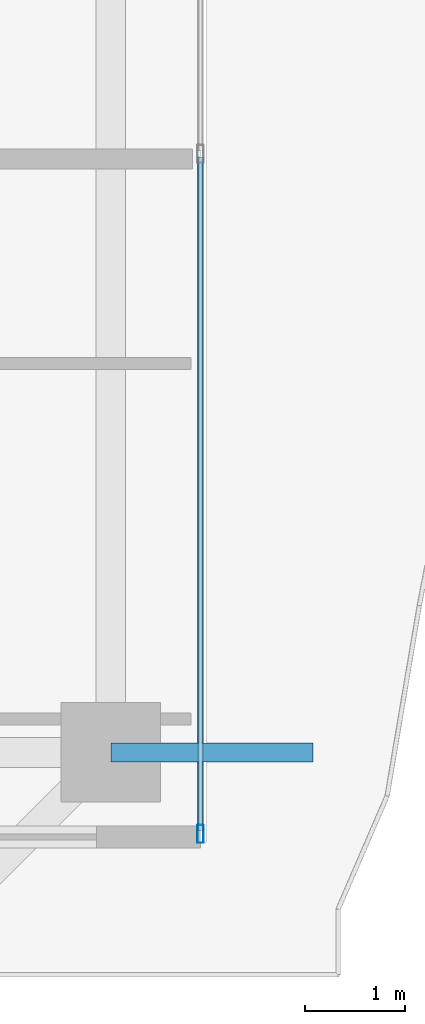
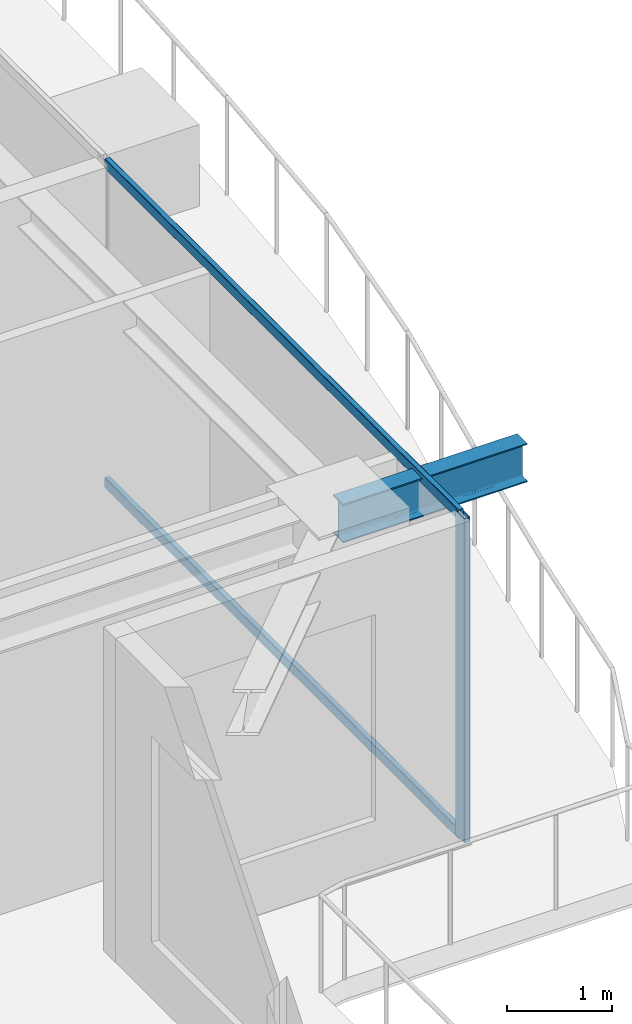
# One storey, part 13 of 41: 3 members, 1 beam, 1 element without a shape of its own.
"""IFC4 building model written with IfcOpenShell, lengths in metres."""

from ifc_helpers import new_model, si_unit, direction, frame, origin, origin_2d, place, context, subcontext, project, spatial, hollow_rectangle, i_section, extrude, source, transform, mapped, material, layer, layer_set, material_profile, profile_set, type_object, element, aggregate, save


model = new_model("IFC4")

# Units and contexts
model_context = context("Model", 3, precision=1e-05, world=origin(), true_north=direction((0.0, 1.0)))
body_context = subcontext(model_context, "Body", "Model", "MODEL_VIEW")
ifc_project = project(units=[si_unit("LENGTHUNIT", "METRE"), si_unit("AREAUNIT", "SQUARE_METRE"), si_unit("VOLUMEUNIT", "CUBIC_METRE"), si_unit("PLANEANGLEUNIT", "RADIAN"), si_unit("MASSUNIT", "GRAM", prefix="KILO")], contexts=[model_context])

# Site, building, storey
site_placement = place(None, origin())
site = spatial("IfcSite", under=ifc_project, at=site_placement, CompositionType="ELEMENT")
building_placement = place(site_placement, origin())
building = spatial("IfcBuilding", under=site, at=building_placement, Name="Serunith Strait Residences", CompositionType="ELEMENT")
storey_placement = place(building_placement, frame((0.0, 0.0, 301.550048828125)))
storey = spatial("IfcBuildingStorey", under=building, at=storey_placement, Name="L75", CompositionType="ELEMENT", Elevation=301.550048828125)

# Beam
ifc_material_1 = material(Name="Steel S355J2", Category="steel")
ifc_material_profile_1 = material_profile(ifc_material_1, i_section(OverallWidth=0.18994140625, OverallDepth=0.449951171875, WebThickness=0.009521484375, FlangeThickness=0.0146484375, FilletRadius=0.02099609375, at=origin_2d()), Name="IPE 450")
ifc_profile_set_1 = profile_set([ifc_material_profile_1], Name="Steel S355J2")
beam_type = type_object("IfcBeamType", Name="BM-IPE450", PredefinedType="JOIST", material=ifc_profile_set_1)
shared_shape_1 = source(origin(), body_context, "Body", "SweptSolid", [
    extrude(i_section(OverallWidth=0.18994140625, OverallDepth=0.449951171875, WebThickness=0.009521484375, FlangeThickness=0.0146484375, FilletRadius=0.02099609375, at=origin_2d()), origin(), (0.0, 0.0, 1.0), 2.030029296875),
])
beam_placement = place(storey_placement, frame((54.699951171875, 10.85009765625, 3.531982421875), z_axis=(1.0, 0.0, 0.0), x_axis=(0.0, 1.0, 0.0)))
element("IfcBeam", 1, at=beam_placement, inside=storey, type_object=beam_type, Name="L76 Cantilevered Balcony Rib TC-E1", PredefinedType="JOIST", context=body_context, shape_type="MappedRepresentation", body=[
    mapped(shared_shape_1, transform((0.0, 0.0, 0.0), scale=1.0)),
])

# Curtain wall, members
ifc_material_2 = material(Name="Brushed Stainless-Silver Aluminium", Category="aluminium")
ifc_layer = layer(ifc_material_2, 0.199951171875, Name="Brushed Stainless-Silver Aluminium")
ifc_layer_set = layer_set([ifc_layer], Name="Brushed Stainless-Silver Aluminium")
curtain_wall_type = type_object("IfcCurtainWallType", Name="CW-SYS5", PredefinedType="NOTDEFINED", material=ifc_layer_set)
curtain_wall_placement = place(storey_placement, origin())
curtain_wall = element("IfcCurtainWall", 2, at=curtain_wall_placement, inside=storey, type_object=curtain_wall_type, Name="L75 E Unitised Fritted Curtain Wall", PredefinedType="NOTDEFINED")
ifc_material_profile_2 = material_profile(ifc_material_2, hollow_rectangle(XDim=0.06005859375, YDim=0.1201171875, WallThickness=0.00341796875, InnerFilletRadius=0.00537109375, OuterFilletRadius=0.0087890625, at=origin_2d()), Name="ALU 120x60x3.5")
ifc_profile_set_2 = profile_set([ifc_material_profile_2], Name="Brushed Stainless-Silver Aluminium")
member_type_1 = type_object("IfcMemberType", Name="CW-SYS5-TRAN", PredefinedType="USERDEFINED", material=ifc_profile_set_2)
shared_shape_2 = source(origin(), body_context, "Body", "SweptSolid", [
    extrude(hollow_rectangle(XDim=0.06005859375, YDim=0.1201171875, WallThickness=0.00341796875, InnerFilletRadius=0.00537109375, OuterFilletRadius=0.0087890625, at=origin_2d()), origin(), (0.0, 0.0, 1.0), 6.75244140625),
])
member_1_placement = place(storey_placement, frame((55.60009765625, 10.06494140625, 0.030029296875), z_axis=(0.0, 1.0, 0.0), x_axis=(-1.0, 0.0, 0.0)))
member_1 = element("IfcMember", 3, at=member_1_placement, type_object=member_type_1, Name="CW-5 transom 1.1", ObjectType="TRANSOM", PredefinedType="USERDEFINED", context=body_context, shape_type="MappedRepresentation", body=[
    mapped(shared_shape_2, transform((0.0, 0.0, 0.0), scale=1.0)),
])
member_2_placement = place(storey_placement, frame((55.60009765625, 10.06494140625, 3.744873046875), z_axis=(0.0, 1.0, 0.0), x_axis=(-1.0, 0.0, 0.0)))
member_2 = element("IfcMember", 4, at=member_2_placement, type_object=member_type_1, Name="CW-5 transom 1.2", ObjectType="TRANSOM", PredefinedType="USERDEFINED", context=body_context, shape_type="MappedRepresentation", body=[
    mapped(shared_shape_2, transform((0.0, 0.0, 0.0), scale=1.0)),
])
ifc_material_profile_3 = material_profile(ifc_material_2, hollow_rectangle(XDim=0.06494140625, YDim=0.179931640625, WallThickness=0.00341796875, InnerFilletRadius=0.00537109375, OuterFilletRadius=0.0087890625, at=origin_2d()), Name="ALU 180x65x3.5")
ifc_profile_set_3 = profile_set([ifc_material_profile_3], Name="Brushed Stainless-Silver Aluminium")
member_type_2 = type_object("IfcMemberType", Name="CW-SYS5-MULL", PredefinedType="MULLION", material=ifc_profile_set_3)
shared_shape_3 = source(origin(), body_context, "Body", "SweptSolid", [
    extrude(hollow_rectangle(XDim=0.06494140625, YDim=0.179931640625, WallThickness=0.00341796875, InnerFilletRadius=0.00537109375, OuterFilletRadius=0.0087890625, at=origin_2d()), origin(), (0.0, 0.0, 1.0), 3.77490234375),
])
member_3_placement = place(storey_placement, frame((55.60009765625, 10.032470703125, 0.0), z_axis=(0.0, 0.0, 1.0), x_axis=(-1.0, 0.0, 0.0)))
member_3 = element("IfcMember", 5, at=member_3_placement, type_object=member_type_2, Name="CW-5 mullion 1", PredefinedType="MULLION", context=body_context, shape_type="MappedRepresentation", body=[
    mapped(shared_shape_3, transform((0.0, 0.0, 0.0), scale=1.0)),
])
aggregate(curtain_wall, [member_3, member_1, member_2])

save(model, "model.ifc")
